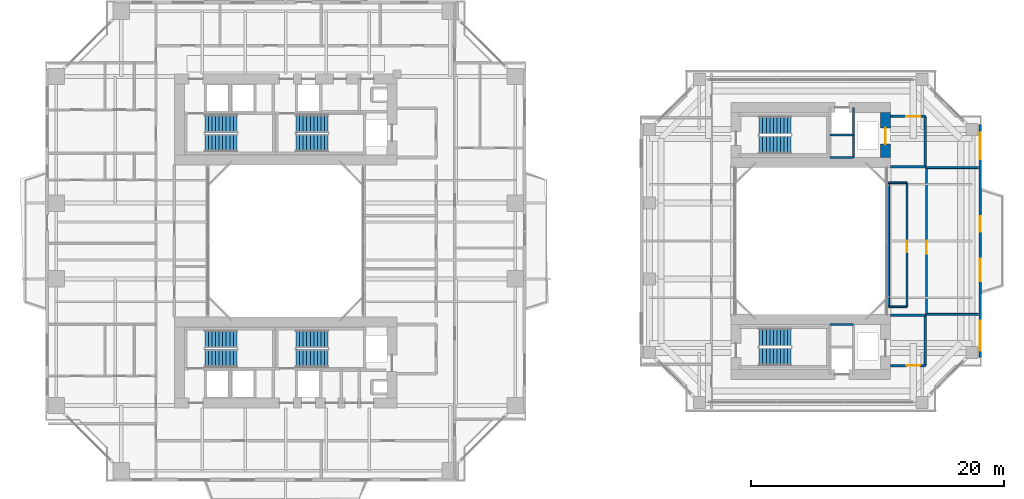
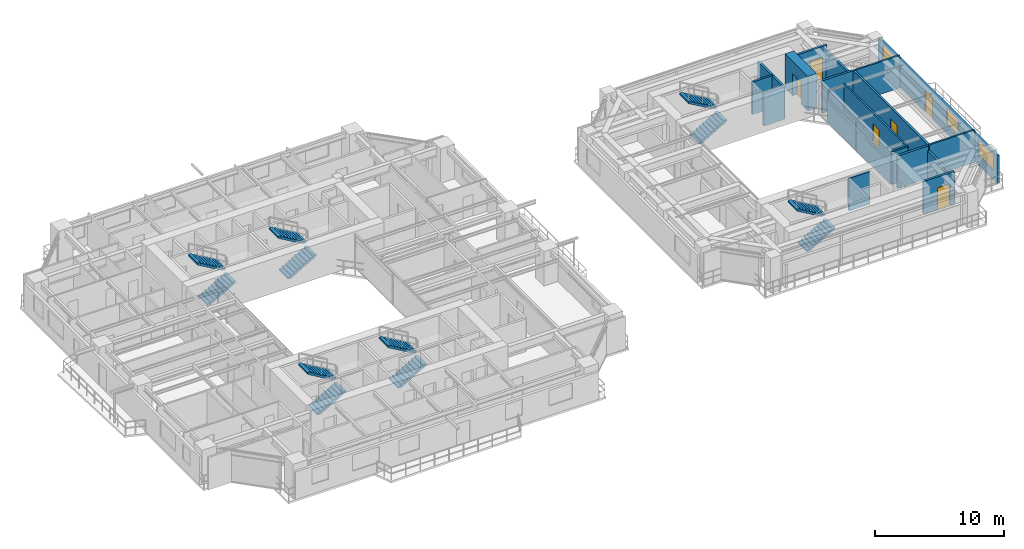
# One storey, part 18 of 23: 19 walls, 12 stair flights, 6 doors, 3 windows, 9 openings, 6 elements without a shape of their own.
"""IFC4 building model written with IfcOpenShell, lengths in metres."""

from ifc_helpers import new_model, si_unit, direction, frame, frame_2d, origin, place, context, subcontext, project, spatial, polyline, rectangle, outline, extrude, source, transform, mapped, material, layer, layer_set, type_object, element, fill, aggregate, save


model = new_model("IFC4")

# Units and contexts
model_context = context("Model", 3, precision=1e-05, world=origin(), true_north=direction((0.0, 1.0)))
body_context = subcontext(model_context, "Body", "Model", "MODEL_VIEW")
ifc_project = project(units=[si_unit("LENGTHUNIT", "METRE"), si_unit("AREAUNIT", "SQUARE_METRE"), si_unit("VOLUMEUNIT", "CUBIC_METRE"), si_unit("PLANEANGLEUNIT", "RADIAN"), si_unit("MASSUNIT", "GRAM", prefix="KILO"), si_unit("THERMODYNAMICTEMPERATUREUNIT", "KELVIN"), si_unit("POWERUNIT", "WATT")], contexts=[model_context])

# Site, building, storey
site_placement = place(None, origin())
site = spatial("IfcSite", under=ifc_project, at=site_placement, CompositionType="ELEMENT")
building_placement = place(site_placement, origin())
building = spatial("IfcBuilding", under=site, at=building_placement, Name="Qiaomeng Ring Towers", CompositionType="ELEMENT")
storey_placement = place(building_placement, frame((0.0, 0.0, 66.5)))
storey = spatial("IfcBuildingStorey", under=building, at=storey_placement, Name="L18", CompositionType="ELEMENT", Elevation=66.5)

# Wall, openings, windows, door
ifc_material_1 = material(Name="Precast concrete C40", Category="concrete")
ifc_layer_1 = layer(ifc_material_1, 0.219970703125, Name="Precast concrete C40")
ifc_layer_set_1 = layer_set([ifc_layer_1], Name="Precast concrete C40")
wall_type_1 = type_object("IfcWallType", Name="ARC-WL-EW2", PredefinedType="STANDARD", material=ifc_layer_set_1)
wall_1_placement = place(storey_placement, frame((73.889892578125, 13.800048828125, 0.0), z_axis=(0.0, 0.0, 1.0), x_axis=(0.0, 1.0, 0.0)))
wall_1 = element("IfcWall", 1, at=wall_1_placement, inside=storey, type_object=wall_type_1, Name="L18 Companion East Wall", PredefinedType="STANDARD", context=body_context, shape_type="SweptSolid", body=[
    extrude(rectangle(XDim=18.39990234375, YDim=0.219970703125, at=frame_2d((9.199951171875, 0.0))), origin(), (0.0, 0.0, 1.0), 2.610107421875),
])
opening_1_placement = place(wall_1_placement, frame((9.949951171875, 0.0, 0.0)))
opening_1 = element("IfcOpeningElement", 2, at=opening_1_placement, cuts=wall_1, Name="Opening BD1", PredefinedType="OPENING", context=body_context, shape_type="SweptSolid", body=[
    extrude(rectangle(XDim=1.199951171875, YDim=2.10009765625, at=frame_2d((0.60009765625, 1.050048828125))), frame((0.0, 0.119873046875, 0.0), z_axis=(0.0, -1.0, 0.0), x_axis=(1.0, 0.0, 0.0)), (0.0, 0.0, 1.0), 0.239990234375),
])
opening_2_placement = place(wall_1_placement, frame((0.507568359375, 0.0, 0.89990234375)))
opening_2 = element("IfcOpeningElement", 3, at=opening_2_placement, cuts=wall_1, Name="Opening WN6", PredefinedType="OPENING", context=body_context, shape_type="SweptSolid", body=[
    extrude(rectangle(XDim=2.39990234375, YDim=1.5, at=frame_2d((1.199951171875, 0.75))), frame((0.0, 0.119873046875, 0.0), z_axis=(0.0, -1.0, 0.0), x_axis=(1.0, 0.0, 0.0)), (0.0, 0.0, 1.0), 0.239990234375),
])
opening_3_placement = place(wall_1_placement, frame((6.0, 0.0, 0.89990234375)))
opening_3 = element("IfcOpeningElement", 4, at=opening_3_placement, cuts=wall_1, Name="Opening WN1", PredefinedType="OPENING", context=body_context, shape_type="SweptSolid", body=[
    extrude(rectangle(XDim=1.800048828125, YDim=1.449951171875, at=frame_2d((0.89990234375, 0.72509765625))), frame((0.0, 0.119873046875, 0.0), z_axis=(0.0, -1.0, 0.0), x_axis=(1.0, 0.0, 0.0)), (0.0, 0.0, 1.0), 0.239990234375),
])
opening_4_placement = place(wall_1_placement, frame((15.642578125, 0.0, 0.89990234375)))
opening_4 = element("IfcOpeningElement", 5, at=opening_4_placement, cuts=wall_1, Name="Opening WN4", PredefinedType="OPENING", context=body_context, shape_type="SweptSolid", body=[
    extrude(rectangle(XDim=2.10009765625, YDim=1.5, at=frame_2d((1.050048828125, 0.75))), frame((0.0, 0.119873046875, 0.0), z_axis=(0.0, -1.0, 0.0), x_axis=(1.0, 0.0, 0.0)), (0.0, 0.0, 1.0), 0.239990234375),
])
ifc_material_2 = material(Name="Low-E dark-grey laminated double glazing", Category="glass")
window_type_1 = type_object("IfcWindowType", Name="ARC-WN-4", PartitioningType="TRIPLE_PANEL_VERTICAL", PredefinedType="WINDOW", material=ifc_material_2)
shared_shape_1 = source(origin(), body_context, "Body", "SweptSolid", [
    extrude(rectangle(XDim=2.10009765625, YDim=1.5, at=frame_2d((1.050048828125, 0.75))), frame((0.0, 0.030029296875, 0.0), z_axis=(0.0, -1.0, 0.0), x_axis=(1.0, 0.0, 0.0)), (0.0, 0.0, 1.0), 0.06005859375),
])
window_1_placement = place(opening_4_placement, origin())
window_1 = element("IfcWindow", 6, at=window_1_placement, inside=storey, type_object=window_type_1, Name="L18 Exterior Window WN4", OverallHeight=1.5, OverallWidth=2.10009765625, PartitioningType="TRIPLE_PANEL_VERTICAL", PredefinedType="WINDOW", context=body_context, shape_type="MappedRepresentation", body=[
    mapped(shared_shape_1, transform((0.0, 0.0, 0.0), x_axis=(1.0, 0.0, 0.0), y_axis=(0.0, 1.0, 0.0), z_axis=(0.0, 0.0, 1.0), scale=1.0)),
])
fill(opening_4, window_1)
window_type_2 = type_object("IfcWindowType", Name="ARC-WN-1", PartitioningType="DOUBLE_PANEL_VERTICAL", PredefinedType="WINDOW", material=ifc_material_2)
shared_shape_2 = source(origin(), body_context, "Body", "SweptSolid", [
    extrude(rectangle(XDim=1.800048828125, YDim=1.449951171875, at=frame_2d((0.89990234375, 0.72509765625))), frame((0.0, 0.030029296875, 0.0), z_axis=(0.0, -1.0, 0.0), x_axis=(1.0, 0.0, 0.0)), (0.0, 0.0, 1.0), 0.06005859375),
])
window_2_placement = place(opening_3_placement, origin())
window_2 = element("IfcWindow", 7, at=window_2_placement, inside=storey, type_object=window_type_2, Name="L18 Exterior Window WN1", OverallHeight=1.449951171875, OverallWidth=1.800048828125, PartitioningType="DOUBLE_PANEL_VERTICAL", PredefinedType="WINDOW", context=body_context, shape_type="MappedRepresentation", body=[
    mapped(shared_shape_2, transform((0.0, 0.0, 0.0), x_axis=(1.0, 0.0, 0.0), y_axis=(0.0, 1.0, 0.0), z_axis=(0.0, 0.0, 1.0), scale=1.0)),
])
fill(opening_3, window_2)
door_type_1 = type_object("IfcDoorType", Name="ARC-DR-BD1", OperationType="NOTDEFINED", PredefinedType="DOOR", material=ifc_material_2)
shared_shape_3 = source(origin(), body_context, "Body", "SweptSolid", [
    extrude(rectangle(XDim=1.199951171875, YDim=2.10009765625, at=frame_2d((0.60009765625, 1.050048828125))), frame((0.0, 0.02490234375, 0.0), z_axis=(0.0, -1.0, 0.0), x_axis=(1.0, 0.0, 0.0)), (0.0, 0.0, 1.0), 0.050048828125),
])
door_1_placement = place(opening_1_placement, origin())
door_1 = element("IfcDoor", 8, at=door_1_placement, inside=storey, type_object=door_type_1, Name="L18 Companion East Balcony Door", OperationType="SINGLE_SWING_LEFT", OverallHeight=2.10009765625, OverallWidth=1.199951171875, PredefinedType="DOOR", context=body_context, shape_type="MappedRepresentation", body=[
    mapped(shared_shape_3, transform((0.0, 0.0, 0.0), x_axis=(1.0, 0.0, 0.0), y_axis=(0.0, 1.0, 0.0), z_axis=(0.0, 0.0, 1.0), scale=1.0)),
])
fill(opening_1, door_1)
window_type_3 = type_object("IfcWindowType", Name="ARC-WN-6", PartitioningType="TRIPLE_PANEL_VERTICAL", PredefinedType="WINDOW", material=ifc_material_2)
shared_shape_4 = source(origin(), body_context, "Body", "SweptSolid", [
    extrude(rectangle(XDim=2.39990234375, YDim=1.5, at=frame_2d((1.199951171875, 0.75))), frame((0.0, 0.030029296875, 0.0), z_axis=(0.0, -1.0, 0.0), x_axis=(1.0, 0.0, 0.0)), (0.0, 0.0, 1.0), 0.06005859375),
])
window_3_placement = place(opening_2_placement, origin())
window_3 = element("IfcWindow", 9, at=window_3_placement, inside=storey, type_object=window_type_3, Name="L18 Exterior Window WN6", OverallHeight=1.5, OverallWidth=2.39990234375, PartitioningType="TRIPLE_PANEL_VERTICAL", PredefinedType="WINDOW", context=body_context, shape_type="MappedRepresentation", body=[
    mapped(shared_shape_4, transform((0.0, 0.0, 0.0), x_axis=(1.0, 0.0, 0.0), y_axis=(0.0, 1.0, 0.0), z_axis=(0.0, 0.0, 1.0), scale=1.0)),
])
fill(opening_2, window_3)

# Walls
ifc_material_3 = material(Name="Autoclaved aerated concrete block", Category="concrete")
ifc_layer_2 = layer(ifc_material_3, 0.199951171875, Name="Autoclaved aerated concrete block")
ifc_layer_set_2 = layer_set([ifc_layer_2], Name="Autoclaved aerated concrete block")
wall_type_2 = type_object("IfcWallType", Name="ARC-WL-PW1", PredefinedType="PARTITIONING", material=ifc_layer_set_2)
wall_2_placement = place(storey_placement, frame((66.800048828125, 28.85009765625, 0.0), z_axis=(0.0, 0.0, 1.0), x_axis=(1.0, 0.0, 0.0)))
element("IfcWall", 10, at=wall_2_placement, inside=storey, type_object=wall_type_2, Name="L18 Interior Wall PW1", PredefinedType="PARTITIONING", context=body_context, shape_type="SweptSolid", body=[
    extrude(rectangle(XDim=2.75, YDim=0.199951171875, at=frame_2d((1.375, 0.0))), origin(), (0.0, 0.0, 1.0), 3.070068359375),
])
wall_3_placement = place(storey_placement, frame((69.550048828125, 28.85009765625, 0.0), z_axis=(0.0, 0.0, 1.0), x_axis=(0.0, 1.0, 0.0)))
element("IfcWall", 11, at=wall_3_placement, inside=storey, type_object=wall_type_2, Name="L18 Interior Wall PW1", PredefinedType="PARTITIONING", context=body_context, shape_type="SweptSolid", body=[
    extrude(rectangle(XDim=4.0, YDim=0.199951171875, at=frame_2d((2.0, 0.0))), origin(), (0.0, 0.0, 1.0), 2.614990234375),
])

# Wall, opening, door
wall_4_placement = place(storey_placement, frame((66.800048828125, 32.85009765625, 0.0), z_axis=(0.0, 0.0, 1.0), x_axis=(1.0, 0.0, 0.0)))
wall_4 = element("IfcWall", 12, at=wall_4_placement, inside=storey, type_object=wall_type_2, Name="L18 Interior Wall PW1", PredefinedType="PARTITIONING", context=body_context, shape_type="SweptSolid", body=[
    extrude(rectangle(XDim=2.75, YDim=0.199951171875, at=frame_2d((1.375, 0.0))), origin(), (0.0, 0.0, 1.0), 3.070068359375),
])
opening_5_placement = place(wall_4_placement, frame((1.25, 0.0, 0.0)))
opening_5 = element("IfcOpeningElement", 13, at=opening_5_placement, cuts=wall_4, Name="Opening FD3", PredefinedType="OPENING", context=body_context, shape_type="SweptSolid", body=[
    extrude(rectangle(XDim=1.10009765625, YDim=2.050048828125, at=frame_2d((0.550048828125, 1.02490234375))), frame((0.0, 0.10986328125, 0.0), z_axis=(0.0, -1.0, 0.0), x_axis=(1.0, 0.0, 0.0)), (0.0, 0.0, 1.0), 0.219970703125),
])
ifc_material_4 = material(Name="Galvanised steel", Category="steel")
door_type_2 = type_object("IfcDoorType", Name="ARC-DR-FD3", OperationType="NOTDEFINED", PredefinedType="DOOR", material=ifc_material_4)
shared_shape_5 = source(origin(), body_context, "Body", "SweptSolid", [
    extrude(rectangle(XDim=1.10009765625, YDim=2.050048828125, at=frame_2d((0.550048828125, 1.02490234375))), frame((0.0, 0.02490234375, 0.0), z_axis=(0.0, -1.0, 0.0), x_axis=(1.0, 0.0, 0.0)), (0.0, 0.0, 1.0), 0.050048828125),
])
door_2_placement = place(opening_5_placement, origin())
door_2 = element("IfcDoor", 14, at=door_2_placement, inside=storey, type_object=door_type_2, Name="L18 Door FD3", OperationType="SINGLE_SWING_RIGHT", OverallHeight=2.050048828125, OverallWidth=1.10009765625, PredefinedType="DOOR", context=body_context, shape_type="MappedRepresentation", body=[
    mapped(shared_shape_5, transform((0.0, 0.0, 0.0), x_axis=(1.0, 0.0, 0.0), y_axis=(0.0, 1.0, 0.0), z_axis=(0.0, 0.0, 1.0), scale=1.0)),
])
fill(opening_5, door_2)

# Walls
wall_5_placement = place(storey_placement, frame((66.800048828125, 17.14990234375, 0.0), z_axis=(0.0, 0.0, 1.0), x_axis=(1.0, 0.0, 0.0)))
element("IfcWall", 15, at=wall_5_placement, inside=storey, type_object=wall_type_2, Name="L18 Interior Wall PW1", PredefinedType="PARTITIONING", context=body_context, shape_type="SweptSolid", body=[
    extrude(rectangle(XDim=2.75, YDim=0.199951171875, at=frame_2d((1.375, 0.0))), origin(), (0.0, 0.0, 1.0), 3.070068359375),
])
wall_6_placement = place(storey_placement, frame((69.550048828125, 13.14990234375, 0.0), z_axis=(0.0, 0.0, 1.0), x_axis=(0.0, 1.0, 0.0)))
element("IfcWall", 16, at=wall_6_placement, inside=storey, type_object=wall_type_2, Name="L18 Interior Wall PW1", PredefinedType="PARTITIONING", context=body_context, shape_type="SweptSolid", body=[
    extrude(rectangle(XDim=4.0, YDim=0.199951171875, at=frame_2d((2.0, 0.0))), origin(), (0.0, 0.0, 1.0), 2.614990234375),
])

# Wall, opening, door
wall_7_placement = place(storey_placement, frame((66.800048828125, 13.14990234375, 0.0), z_axis=(0.0, 0.0, 1.0), x_axis=(1.0, 0.0, 0.0)))
wall_7 = element("IfcWall", 17, at=wall_7_placement, inside=storey, type_object=wall_type_2, Name="L18 Interior Wall PW1", PredefinedType="PARTITIONING", context=body_context, shape_type="SweptSolid", body=[
    extrude(rectangle(XDim=2.75, YDim=0.199951171875, at=frame_2d((1.375, 0.0))), origin(), (0.0, 0.0, 1.0), 3.070068359375),
])
opening_6_placement = place(wall_7_placement, frame((1.25, 0.0, 0.0)))
opening_6 = element("IfcOpeningElement", 18, at=opening_6_placement, cuts=wall_7, Name="Opening FD3", PredefinedType="OPENING", context=body_context, shape_type="SweptSolid", body=[
    extrude(rectangle(XDim=1.10009765625, YDim=2.050048828125, at=frame_2d((0.550048828125, 1.02490234375))), frame((0.0, 0.10986328125, 0.0), z_axis=(0.0, -1.0, 0.0), x_axis=(1.0, 0.0, 0.0)), (0.0, 0.0, 1.0), 0.219970703125),
])
door_3_placement = place(opening_6_placement, origin())
door_3 = element("IfcDoor", 19, at=door_3_placement, inside=storey, type_object=door_type_2, Name="L18 Door FD3", OperationType="SINGLE_SWING_RIGHT", OverallHeight=2.050048828125, OverallWidth=1.10009765625, PredefinedType="DOOR", context=body_context, shape_type="MappedRepresentation", body=[
    mapped(shared_shape_5, transform((0.0, 0.0, 0.0), x_axis=(1.0, 0.0, 0.0), y_axis=(0.0, 1.0, 0.0), z_axis=(0.0, 0.0, 1.0), scale=1.0)),
])
fill(opening_6, door_3)

ifc_layer_3 = layer(ifc_material_3, 0.179931640625, Name="Autoclaved aerated concrete block")
ifc_layer_set_3 = layer_set([ifc_layer_3], Name="Autoclaved aerated concrete block")
wall_type_3 = type_object("IfcWallType", Name="ARC-WL-PW2", PredefinedType="PARTITIONING", material=ifc_layer_set_3)
wall_8_placement = place(storey_placement, frame((69.64990234375, 17.199951171875, 0.0), z_axis=(0.0, 0.0, 1.0), x_axis=(0.0, 1.0, 0.0)))
wall_8 = element("IfcWall", 20, at=wall_8_placement, inside=storey, type_object=wall_type_3, Name="L18 Interior Wall PW2", PredefinedType="PARTITIONING", context=body_context, shape_type="SweptSolid", body=[
    extrude(rectangle(XDim=11.60009765625, YDim=0.179931640625, at=frame_2d((5.800048828125, 0.0))), origin(), (0.0, 0.0, 1.0), 3.070068359375),
])
opening_7_placement = place(wall_8_placement, frame((4.800048828125, 0.0, 0.0)))
opening_7 = element("IfcOpeningElement", 21, at=opening_7_placement, cuts=wall_8, Name="Opening FD4", PredefinedType="OPENING", context=body_context, shape_type="SweptSolid", body=[
    extrude(rectangle(XDim=1.0, YDim=2.050048828125, at=frame_2d((0.5, 1.02490234375))), frame((0.0, 0.099853515625, 0.0), z_axis=(0.0, -1.0, 0.0), x_axis=(1.0, 0.0, 0.0)), (0.0, 0.0, 1.0), 0.199951171875),
])
ifc_material_5 = material(Name="Engineered fire-rated oak timber", Category="wood")
door_type_3 = type_object("IfcDoorType", Name="ARC-DR-FD4", OperationType="NOTDEFINED", PredefinedType="DOOR", material=ifc_material_5)
shared_shape_6 = source(origin(), body_context, "Body", "SweptSolid", [
    extrude(rectangle(XDim=1.0, YDim=2.050048828125, at=frame_2d((0.5, 1.02490234375))), frame((0.0, 0.02490234375, 0.0), z_axis=(0.0, -1.0, 0.0), x_axis=(1.0, 0.0, 0.0)), (0.0, 0.0, 1.0), 0.050048828125),
])
door_4_placement = place(opening_7_placement, origin())
door_4 = element("IfcDoor", 22, at=door_4_placement, inside=storey, type_object=door_type_3, Name="L18 Door FD4", OperationType="SINGLE_SWING_RIGHT", OverallHeight=2.050048828125, OverallWidth=1.0, PredefinedType="DOOR", context=body_context, shape_type="MappedRepresentation", body=[
    mapped(shared_shape_6, transform((0.0, 0.0, 0.0), x_axis=(1.0, 0.0, 0.0), y_axis=(0.0, 1.0, 0.0), z_axis=(0.0, 0.0, 1.0), scale=1.0)),
])
fill(opening_7, door_4)

# Walls
ifc_material_6 = material(Name="Gypsum fireboard steel-stud partition", Category="steel")
ifc_layer_4 = layer(ifc_material_6, 0.14990234375, Name="Gypsum fireboard steel-stud partition")
ifc_layer_set_4 = layer_set([ifc_layer_4], Name="Gypsum fireboard steel-stud partition")
wall_type_4 = type_object("IfcWallType", Name="ARC-WL-PW3", PredefinedType="PARTITIONING", material=ifc_layer_set_4)
for number, where, z_axis, x_axis, name in (
    (23, (69.64990234375, 17.199951171875, 0.0), (0.0, 0.0, 1.0), (1.0, 0.0, 0.0), "L18 Interior Wall PW3"),
    (24, (69.64990234375, 28.800048828125, 0.0), (0.0, 0.0, 1.0), (1.0, 0.0, 0.0), "L18 Interior Wall PW3"),
):
    element("IfcWall", number, at=place(storey_placement, frame(where, z_axis=z_axis, x_axis=x_axis)), inside=storey, type_object=wall_type_4, Name=name, PredefinedType="PARTITIONING", context=body_context, shape_type="SweptSolid", body=[
        extrude(rectangle(XDim=4.10009765625, YDim=0.14990234375, at=frame_2d((2.050048828125, 0.0))), origin(), (0.0, 0.0, 1.0), 3.070068359375),
    ])

# Wall, opening, door
wall_9_placement = place(storey_placement, frame((68.10009765625, 17.800048828125, 0.0), z_axis=(0.0, 0.0, 1.0), x_axis=(0.0, 1.0, 0.0)))
wall_9 = element("IfcWall", 25, at=wall_9_placement, inside=storey, type_object=wall_type_4, Name="L18 Interior Wall PW3", PredefinedType="PARTITIONING", context=body_context, shape_type="SweptSolid", body=[
    extrude(rectangle(XDim=9.800048828125, YDim=0.14990234375, at=frame_2d((4.89990234375, 0.0))), origin(), (0.0, 0.0, 1.0), 3.070068359375),
])
opening_8_placement = place(wall_9_placement, frame((4.300048828125, 0.0, 0.0)))
opening_8 = element("IfcOpeningElement", 26, at=opening_8_placement, cuts=wall_9, Name="Opening ID1", PredefinedType="OPENING", context=body_context, shape_type="SweptSolid", body=[
    extrude(rectangle(XDim=0.89990234375, YDim=2.050048828125, at=frame_2d((0.449951171875, 1.02490234375))), frame((0.0, 0.0849609375, 0.0), z_axis=(0.0, -1.0, 0.0), x_axis=(1.0, 0.0, 0.0)), (0.0, 0.0, 1.0), 0.169921875),
])
ifc_material_7 = material(Name="Engineered oak timber", Category="wood")
door_type_4 = type_object("IfcDoorType", Name="ARC-DR-ID1", OperationType="NOTDEFINED", PredefinedType="DOOR", material=ifc_material_7)
shared_shape_7 = source(origin(), body_context, "Body", "SweptSolid", [
    extrude(rectangle(XDim=0.89990234375, YDim=2.050048828125, at=frame_2d((0.449951171875, 1.02490234375))), frame((0.0, 0.02490234375, 0.0), z_axis=(0.0, -1.0, 0.0), x_axis=(1.0, 0.0, 0.0)), (0.0, 0.0, 1.0), 0.050048828125),
])
door_5_placement = place(opening_8_placement, origin())
door_5 = element("IfcDoor", 27, at=door_5_placement, inside=storey, type_object=door_type_4, Name="L18 Door ID1", OperationType="SINGLE_SWING_LEFT", OverallHeight=2.050048828125, OverallWidth=0.89990234375, PredefinedType="DOOR", context=body_context, shape_type="MappedRepresentation", body=[
    mapped(shared_shape_7, transform((0.0, 0.0, 0.0), x_axis=(1.0, 0.0, 0.0), y_axis=(0.0, 1.0, 0.0), z_axis=(0.0, 0.0, 1.0), scale=1.0)),
])
fill(opening_8, door_5)

# Walls
wall_10_placement = place(storey_placement, frame((66.64990234375, 27.60009765625, 0.0), z_axis=(0.0, 0.0, 1.0), x_axis=(1.0, 0.0, 0.0)))
element("IfcWall", 28, at=wall_10_placement, inside=storey, type_object=wall_type_4, Name="L18 Interior Wall PW3", PredefinedType="PARTITIONING", context=body_context, shape_type="SweptSolid", body=[
    extrude(rectangle(XDim=1.4501953125, YDim=0.14990234375, at=frame_2d((0.72509765625, 0.0))), origin(), (0.0, 0.0, 1.0), 2.81494140625),
])
wall_11_placement = place(storey_placement, frame((66.64990234375, 17.800048828125, 0.0), z_axis=(0.0, 0.0, 1.0), x_axis=(1.0, 0.0, 0.0)))
element("IfcWall", 29, at=wall_11_placement, inside=storey, type_object=wall_type_4, Name="L18 Interior Wall PW3", PredefinedType="PARTITIONING", context=body_context, shape_type="SweptSolid", body=[
    extrude(rectangle(XDim=1.4501953125, YDim=0.14990234375, at=frame_2d((0.72509765625, 0.0))), origin(), (0.0, 0.0, 1.0), 3.070068359375),
])
wall_12_placement = place(storey_placement, frame((66.64990234375, 17.800048828125, 0.0), z_axis=(0.0, 0.0, 1.0), x_axis=(0.0, 1.0, 0.0)))
element("IfcWall", 30, at=wall_12_placement, inside=storey, type_object=wall_type_4, Name="L18 Interior Wall PW3", PredefinedType="PARTITIONING", context=body_context, shape_type="SweptSolid", body=[
    extrude(rectangle(XDim=9.800048828125, YDim=0.14990234375, at=frame_2d((4.89990234375, 0.0))), origin(), (0.0, 0.0, 1.0), 2.215087890625),
])
ifc_material_8 = material(Name="Concrete C40", Category="concrete")
ifc_layer_5 = layer(ifc_material_8, 0.199951171875, Name="Concrete C40")
ifc_layer_set_5 = layer_set([ifc_layer_5], Name="Concrete C40")
wall_type_5 = type_object("IfcWallType", Name="STR-WL-STSHAFT", PredefinedType="SHEAR", material=ifc_layer_set_5)
wall_13_placement = place(storey_placement, frame((63.8798828125, 29.60009765625, 0.0), z_axis=(0.0, 0.0, 1.0), x_axis=(0.0, 1.0, 0.0)))
element("IfcWall", 31, at=wall_13_placement, inside=storey, type_object=wall_type_5, Name="L18 Companion Lift Shaft East Wall N", PredefinedType="SHEAR", context=body_context, shape_type="SweptSolid", body=[
    extrude(rectangle(XDim=3.949951171875, YDim=0.179931640625, at=frame_2d((1.97509765625, 0.0))), origin(), (0.0, 0.0, 1.0), 3.070068359375),
])
for number, where, z_axis, x_axis, name in (
    (32, (62.02001953125, 31.3798828125, 0.0), (0.0, 0.0, 1.0), (1.0, 0.0, 0.0), "L18 Companion Lift Shaft Divider Wall N"),
    (33, (62.02001953125, 29.60009765625, 0.0), (0.0, 0.0, 1.0), (1.0, 0.0, 0.0), "L18 Companion Riser Shaft Back Wall N"),
    (34, (62.02001953125, 16.39990234375, 0.0), (0.0, 0.0, 1.0), (1.0, 0.0, 0.0), "L18 Companion Riser Shaft Back Wall S"),
):
    element("IfcWall", number, at=place(storey_placement, frame(where, z_axis=z_axis, x_axis=x_axis)), inside=storey, type_object=wall_type_5, Name=name, PredefinedType="SHEAR", context=body_context, shape_type="SweptSolid", body=[
        extrude(rectangle(XDim=1.85986328125, YDim=0.179931640625, at=frame_2d((0.929931640625, 0.0))), origin(), (0.0, 0.0, 1.0), 3.070068359375),
    ])

# Wall, opening, door
ifc_material_9 = material(Name="Concrete C60", Category="concrete")
ifc_layer_6 = layer(ifc_material_9, 0.800048828125, Name="Concrete C60")
ifc_layer_set_6 = layer_set([ifc_layer_6], Name="Concrete C60")
wall_type_6 = type_object("IfcWallType", Name="STR-WL-SW1", PredefinedType="SHEAR", material=ifc_layer_set_6)
wall_14_placement = place(storey_placement, frame((66.39990234375, 29.60009765625, 0.0), z_axis=(0.0, 0.0, 1.0), x_axis=(0.0, 1.0, 0.0)))
wall_14 = element("IfcWall", 35, at=wall_14_placement, inside=storey, type_object=wall_type_6, Name="L18 T2NC east core shear wall", PredefinedType="SHEAR", context=body_context, shape_type="SweptSolid", body=[
    extrude(rectangle(XDim=3.5498046875, YDim=0.800048828125, at=frame_2d((1.77490234375, 0.0))), origin(), (0.0, 0.0, 1.0), 3.25),
])
opening_9_placement = place(wall_14_placement, frame((1.050048828125, 0.0, 0.0)))
opening_9 = element("IfcOpeningElement", 36, at=opening_9_placement, cuts=wall_14, Name="Opening LD2", PredefinedType="OPENING", context=body_context, shape_type="SweptSolid", body=[
    extrude(rectangle(XDim=1.300048828125, YDim=2.050048828125, at=frame_2d((0.64990234375, 1.02490234375))), frame((0.0, 0.409912109375, 0.0), z_axis=(0.0, -1.0, 0.0), x_axis=(1.0, 0.0, 0.0)), (0.0, 0.0, 1.0), 0.820068359375),
])
ifc_material_10 = material(Name="Stainless steel 316", Category="steel")
door_type_5 = type_object("IfcDoorType", Name="ARC-DR-LD2", OperationType="NOTDEFINED", PredefinedType="DOOR", material=ifc_material_10)
shared_shape_8 = source(origin(), body_context, "Body", "SweptSolid", [
    extrude(rectangle(XDim=1.300048828125, YDim=2.050048828125, at=frame_2d((0.64990234375, 1.02490234375))), frame((0.0, 0.02490234375, 0.0), z_axis=(0.0, -1.0, 0.0), x_axis=(1.0, 0.0, 0.0)), (0.0, 0.0, 1.0), 0.050048828125),
])
door_6_placement = place(opening_9_placement, origin())
door_6 = element("IfcDoor", 37, at=door_6_placement, inside=storey, type_object=door_type_5, Name="L18 Firefighting Lift FL3 Landing Door", OperationType="SLIDING_TO_LEFT", OverallHeight=2.050048828125, OverallWidth=1.300048828125, PredefinedType="DOOR", context=body_context, shape_type="MappedRepresentation", body=[
    mapped(shared_shape_8, transform((0.0, 0.0, 0.0), x_axis=(1.0, 0.0, 0.0), y_axis=(0.0, 1.0, 0.0), z_axis=(0.0, 0.0, 1.0), scale=1.0)),
])
fill(opening_9, door_6)

# Stair, stair flights
stair_type = type_object("IfcStairType", Name="ARC-ST-325", PredefinedType="HALF_TURN_STAIR", material=ifc_material_1)
stair_1_placement = place(storey_placement, origin())
stair_1 = element("IfcStair", 38, at=stair_1_placement, inside=storey, type_object=stair_type, Name="L18 Tower 1 North Stair 1", PredefinedType="HALF_TURN_STAIR")
stair_flight_type = type_object("IfcStairFlightType", Name="ARC-ST-325-FL", PredefinedType="STRAIGHT", material=ifc_material_1)
shared_shape_9 = source(origin(), body_context, "Body", "SweptSolid", [
    extrude(outline(polyline([(0.0, 0.0), (0.0, 0.16259765625), (0.280029296875, 0.16259765625), (0.280029296875, 0.324951171875), (0.56005859375, 0.324951171875), (0.56005859375, 0.487548828125), (0.840087890625, 0.487548828125), (0.840087890625, 0.64990234375), (1.1201171875, 0.64990234375), (1.1201171875, 0.8125), (1.39990234375, 0.8125), (1.39990234375, 0.97509765625), (1.679931640625, 0.97509765625), (1.679931640625, 1.137451171875), (1.9599609375, 1.137451171875), (1.9599609375, 1.300048828125), (2.239990234375, 1.300048828125), (2.239990234375, 1.46240234375), (2.52001953125, 1.46240234375), (2.52001953125, 1.625), (2.52001953125, 1.2890625), (0.298583984375, 0.0), (0.0, 0.0)])), frame((0.0, 0.699951171875, 0.0), z_axis=(0.0, -1.0, 0.0), x_axis=(1.0, 0.0, 0.0)), (0.0, 0.0, 1.0), 1.39990234375),
])
stair_flight_1_placement = place(storey_placement, frame((12.6201171875, 30.75, 0.0), z_axis=(0.0, 0.0, 1.0), x_axis=(1.0, 0.0, 0.0)))
stair_flight_1 = element("IfcStairFlight", 39, at=stair_flight_1_placement, type_object=stair_flight_type, Name="ST1 flight 1", NumberOfRisers=10, NumberOfTreads=9, PredefinedType="STRAIGHT", RiserHeight=0.1625, TreadLength=0.28, context=body_context, shape_type="MappedRepresentation", body=[
    mapped(shared_shape_9, transform((0.0, 0.0, 0.0), x_axis=(1.0, 0.0, 0.0), y_axis=(0.0, 1.0, 0.0), z_axis=(0.0, 0.0, 1.0), scale=1.0)),
])
stair_flight_2_placement = place(storey_placement, frame((15.139892578125, 32.2900390625, 1.625), z_axis=(0.0, 0.0, 1.0), x_axis=(-1.0, 0.0, 0.0)))
stair_flight_2 = element("IfcStairFlight", 40, at=stair_flight_2_placement, type_object=stair_flight_type, Name="ST1 flight 2", NumberOfRisers=10, NumberOfTreads=9, PredefinedType="STRAIGHT", RiserHeight=0.1625, TreadLength=0.28, context=body_context, shape_type="MappedRepresentation", body=[
    mapped(shared_shape_9, transform((0.0, 0.0, 0.0), x_axis=(1.0, 0.0, 0.0), y_axis=(0.0, 1.0, 0.0), z_axis=(0.0, 0.0, 1.0), scale=1.0)),
])
aggregate(stair_1, [stair_flight_1, stair_flight_2])

stair_2_placement = place(storey_placement, origin())
stair_2 = element("IfcStair", 41, at=stair_2_placement, inside=storey, type_object=stair_type, Name="L18 Tower 1 North Stair 2", PredefinedType="HALF_TURN_STAIR")
stair_flight_3_placement = place(storey_placement, frame((19.820068359375, 30.75, 0.0), z_axis=(0.0, 0.0, 1.0), x_axis=(1.0, 0.0, 0.0)))
stair_flight_3 = element("IfcStairFlight", 42, at=stair_flight_3_placement, type_object=stair_flight_type, Name="ST2 flight 1", NumberOfRisers=10, NumberOfTreads=9, PredefinedType="STRAIGHT", RiserHeight=0.1625, TreadLength=0.28, context=body_context, shape_type="MappedRepresentation", body=[
    mapped(shared_shape_9, transform((0.0, 0.0, 0.0), x_axis=(1.0, 0.0, 0.0), y_axis=(0.0, 1.0, 0.0), z_axis=(0.0, 0.0, 1.0), scale=1.0)),
])
stair_flight_4_placement = place(storey_placement, frame((22.340087890625, 32.2900390625, 1.625), z_axis=(0.0, 0.0, 1.0), x_axis=(-1.0, 0.0, 0.0)))
stair_flight_4 = element("IfcStairFlight", 43, at=stair_flight_4_placement, type_object=stair_flight_type, Name="ST2 flight 2", NumberOfRisers=10, NumberOfTreads=9, PredefinedType="STRAIGHT", RiserHeight=0.1625, TreadLength=0.28, context=body_context, shape_type="MappedRepresentation", body=[
    mapped(shared_shape_9, transform((0.0, 0.0, 0.0), x_axis=(1.0, 0.0, 0.0), y_axis=(0.0, 1.0, 0.0), z_axis=(0.0, 0.0, 1.0), scale=1.0)),
])
aggregate(stair_2, [stair_flight_3, stair_flight_4])

stair_3_placement = place(storey_placement, origin())
stair_3 = element("IfcStair", 44, at=stair_3_placement, inside=storey, type_object=stair_type, Name="L18 Tower 1 South Stair 3", PredefinedType="HALF_TURN_STAIR")
stair_flight_5_placement = place(storey_placement, frame((12.6201171875, 13.7099609375, 0.0), z_axis=(0.0, 0.0, 1.0), x_axis=(1.0, 0.0, 0.0)))
stair_flight_5 = element("IfcStairFlight", 45, at=stair_flight_5_placement, type_object=stair_flight_type, Name="ST3 flight 1", NumberOfRisers=10, NumberOfTreads=9, PredefinedType="STRAIGHT", RiserHeight=0.1625, TreadLength=0.28, context=body_context, shape_type="MappedRepresentation", body=[
    mapped(shared_shape_9, transform((0.0, 0.0, 0.0), x_axis=(1.0, 0.0, 0.0), y_axis=(0.0, 1.0, 0.0), z_axis=(0.0, 0.0, 1.0), scale=1.0)),
])
stair_flight_6_placement = place(storey_placement, frame((15.139892578125, 15.25, 1.625), z_axis=(0.0, 0.0, 1.0), x_axis=(-1.0, 0.0, 0.0)))
stair_flight_6 = element("IfcStairFlight", 46, at=stair_flight_6_placement, type_object=stair_flight_type, Name="ST3 flight 2", NumberOfRisers=10, NumberOfTreads=9, PredefinedType="STRAIGHT", RiserHeight=0.1625, TreadLength=0.28, context=body_context, shape_type="MappedRepresentation", body=[
    mapped(shared_shape_9, transform((0.0, 0.0, 0.0), x_axis=(1.0, 0.0, 0.0), y_axis=(0.0, 1.0, 0.0), z_axis=(0.0, 0.0, 1.0), scale=1.0)),
])
aggregate(stair_3, [stair_flight_5, stair_flight_6])

stair_4_placement = place(storey_placement, origin())
stair_4 = element("IfcStair", 47, at=stair_4_placement, inside=storey, type_object=stair_type, Name="L18 Tower 1 South Stair 4", PredefinedType="HALF_TURN_STAIR")
stair_flight_7_placement = place(storey_placement, frame((19.820068359375, 13.7099609375, 0.0), z_axis=(0.0, 0.0, 1.0), x_axis=(1.0, 0.0, 0.0)))
stair_flight_7 = element("IfcStairFlight", 48, at=stair_flight_7_placement, type_object=stair_flight_type, Name="ST4 flight 1", NumberOfRisers=10, NumberOfTreads=9, PredefinedType="STRAIGHT", RiserHeight=0.1625, TreadLength=0.28, context=body_context, shape_type="MappedRepresentation", body=[
    mapped(shared_shape_9, transform((0.0, 0.0, 0.0), x_axis=(1.0, 0.0, 0.0), y_axis=(0.0, 1.0, 0.0), z_axis=(0.0, 0.0, 1.0), scale=1.0)),
])
stair_flight_8_placement = place(storey_placement, frame((22.340087890625, 15.25, 1.625), z_axis=(0.0, 0.0, 1.0), x_axis=(-1.0, 0.0, 0.0)))
stair_flight_8 = element("IfcStairFlight", 49, at=stair_flight_8_placement, type_object=stair_flight_type, Name="ST4 flight 2", NumberOfRisers=10, NumberOfTreads=9, PredefinedType="STRAIGHT", RiserHeight=0.1625, TreadLength=0.28, context=body_context, shape_type="MappedRepresentation", body=[
    mapped(shared_shape_9, transform((0.0, 0.0, 0.0), x_axis=(1.0, 0.0, 0.0), y_axis=(0.0, 1.0, 0.0), z_axis=(0.0, 0.0, 1.0), scale=1.0)),
])
aggregate(stair_4, [stair_flight_7, stair_flight_8])

stair_5_placement = place(storey_placement, origin())
stair_5 = element("IfcStair", 50, at=stair_5_placement, inside=storey, type_object=stair_type, Name="L18 Companion North Stair 5", PredefinedType="HALF_TURN_STAIR")
stair_flight_9_placement = place(storey_placement, frame((56.419921875, 30.60009765625, 0.0), z_axis=(0.0, 0.0, 1.0), x_axis=(1.0, 0.0, 0.0)))
stair_flight_9 = element("IfcStairFlight", 51, at=stair_flight_9_placement, type_object=stair_flight_type, Name="ST5 flight 1", NumberOfRisers=10, NumberOfTreads=9, PredefinedType="STRAIGHT", RiserHeight=0.1625, TreadLength=0.28, context=body_context, shape_type="MappedRepresentation", body=[
    mapped(shared_shape_9, transform((0.0, 0.0, 0.0), x_axis=(1.0, 0.0, 0.0), y_axis=(0.0, 1.0, 0.0), z_axis=(0.0, 0.0, 1.0), scale=1.0)),
])
stair_flight_10_placement = place(storey_placement, frame((58.93994140625, 32.139892578125, 1.625), z_axis=(0.0, 0.0, 1.0), x_axis=(-1.0, 0.0, 0.0)))
stair_flight_10 = element("IfcStairFlight", 52, at=stair_flight_10_placement, type_object=stair_flight_type, Name="ST5 flight 2", NumberOfRisers=10, NumberOfTreads=9, PredefinedType="STRAIGHT", RiserHeight=0.1625, TreadLength=0.28, context=body_context, shape_type="MappedRepresentation", body=[
    mapped(shared_shape_9, transform((0.0, 0.0, 0.0), x_axis=(1.0, 0.0, 0.0), y_axis=(0.0, 1.0, 0.0), z_axis=(0.0, 0.0, 1.0), scale=1.0)),
])
aggregate(stair_5, [stair_flight_9, stair_flight_10])

stair_6_placement = place(storey_placement, origin())
stair_6 = element("IfcStair", 53, at=stair_6_placement, inside=storey, type_object=stair_type, Name="L18 Companion South Stair 6", PredefinedType="HALF_TURN_STAIR")
stair_flight_11_placement = place(storey_placement, frame((56.419921875, 13.860107421875, 0.0), z_axis=(0.0, 0.0, 1.0), x_axis=(1.0, 0.0, 0.0)))
stair_flight_11 = element("IfcStairFlight", 54, at=stair_flight_11_placement, type_object=stair_flight_type, Name="ST6 flight 1", NumberOfRisers=10, NumberOfTreads=9, PredefinedType="STRAIGHT", RiserHeight=0.1625, TreadLength=0.28, context=body_context, shape_type="MappedRepresentation", body=[
    mapped(shared_shape_9, transform((0.0, 0.0, 0.0), x_axis=(1.0, 0.0, 0.0), y_axis=(0.0, 1.0, 0.0), z_axis=(0.0, 0.0, 1.0), scale=1.0)),
])
stair_flight_12_placement = place(storey_placement, frame((58.93994140625, 15.39990234375, 1.625), z_axis=(0.0, 0.0, 1.0), x_axis=(-1.0, 0.0, 0.0)))
stair_flight_12 = element("IfcStairFlight", 55, at=stair_flight_12_placement, type_object=stair_flight_type, Name="ST6 flight 2", NumberOfRisers=10, NumberOfTreads=9, PredefinedType="STRAIGHT", RiserHeight=0.1625, TreadLength=0.28, context=body_context, shape_type="MappedRepresentation", body=[
    mapped(shared_shape_9, transform((0.0, 0.0, 0.0), x_axis=(1.0, 0.0, 0.0), y_axis=(0.0, 1.0, 0.0), z_axis=(0.0, 0.0, 1.0), scale=1.0)),
])
aggregate(stair_6, [stair_flight_11, stair_flight_12])

save(model, "model.ifc")
